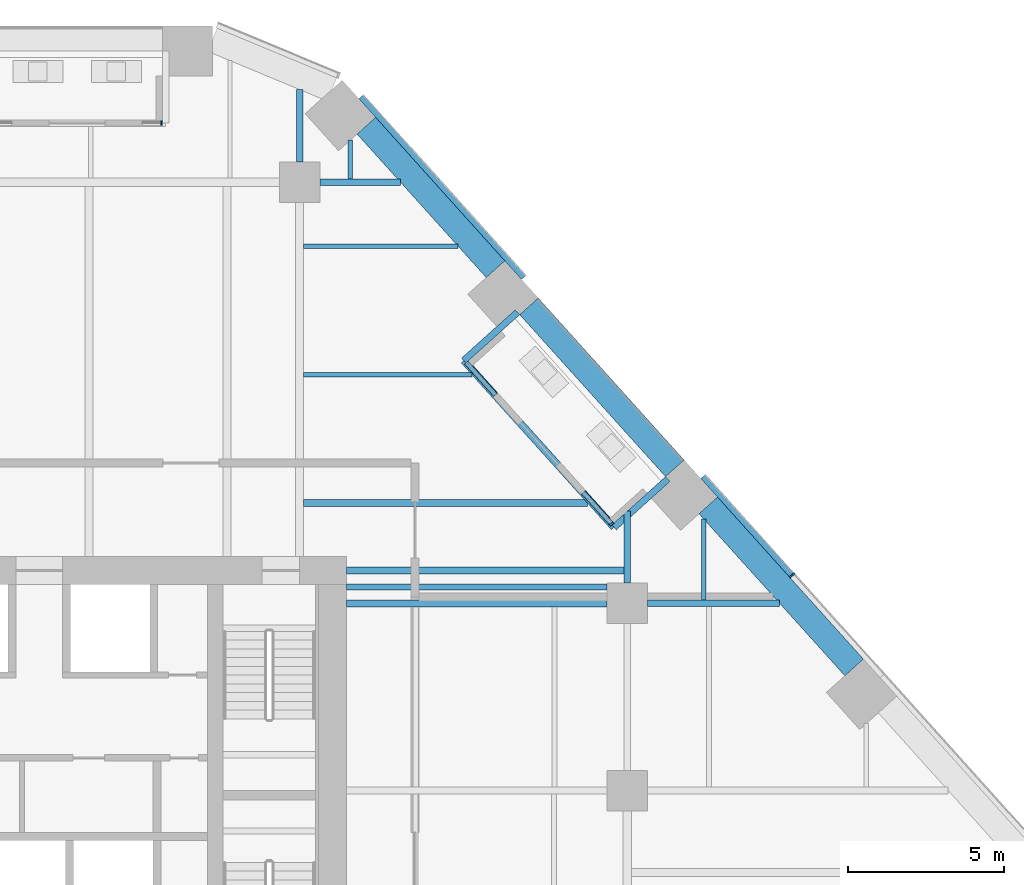
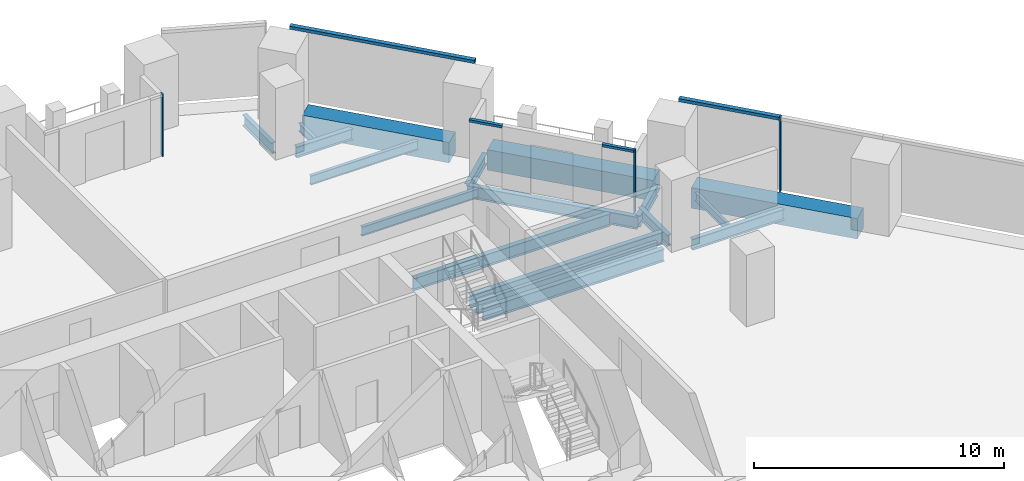
# One storey, part 12 of 28: 18 beams, 7 members, 3 elements without a shape of their own.
"""IFC4 building model written with IfcOpenShell, lengths in metres."""

from ifc_helpers import new_model, si_unit, direction, frame, origin, origin_2d, place, context, subcontext, project, spatial, rectangle, i_section, extrude, material, layer, layer_set, material_profile, profile_set, type_object, element, aggregate, save


model = new_model("IFC4")

# Units and contexts
model_context = context("Model", 3, precision=1e-05, world=origin(), true_north=direction((0.0, 1.0)))
body_context = subcontext(model_context, "Body", "Model", "MODEL_VIEW")
ifc_project = project(units=[si_unit("LENGTHUNIT", "METRE"), si_unit("AREAUNIT", "SQUARE_METRE"), si_unit("VOLUMEUNIT", "CUBIC_METRE"), si_unit("PLANEANGLEUNIT", "RADIAN"), si_unit("MASSUNIT", "GRAM", prefix="KILO")], contexts=[model_context])

# Site, building, storey
site_placement = place(None, origin())
site = spatial("IfcSite", under=ifc_project, at=site_placement, CompositionType="ELEMENT")
building_placement = place(site_placement, origin())
building = spatial("IfcBuilding", under=site, at=building_placement, Name="Isthmus Gate Tower", CompositionType="ELEMENT")
storey_placement = place(building_placement, frame((0.0, 0.0, 98.89990234375)))
storey = spatial("IfcBuildingStorey", under=building, at=storey_placement, Name="L23", CompositionType="ELEMENT", Elevation=98.89990234375)

# Curtain wall, members
ifc_material_1 = material(Name="Aluminium, pale champagne anodised", Category="aluminium")
ifc_layer_1 = layer(ifc_material_1, 0.199951171875)
ifc_layer_set_1 = layer_set([ifc_layer_1], Name="CW-1 UNITISED CURTAIN WALL 200 DEEP")
curtain_wall_type_1 = type_object("IfcCurtainWallType", Name="CW-1 UNITISED CURTAIN WALL 200 DEEP", PredefinedType="NOTDEFINED", material=ifc_layer_set_1)
curtain_wall_1_placement = place(storey_placement, origin())
curtain_wall_1 = element("IfcCurtainWall", 1, at=curtain_wall_1_placement, inside=storey, type_object=curtain_wall_type_1, Name="CW-1 NE L23", PredefinedType="NOTDEFINED")
ifc_material_2 = material(Name="Aluminium, pale champagne anodised", Category="aluminium")
ifc_material_profile_1 = material_profile(ifc_material_2, rectangle(XDim=0.06005859375, YDim=0.199951171875, at=origin_2d()), Name="60x200")
ifc_profile_set_1 = profile_set([ifc_material_profile_1], Name="Aluminium, pale champagne anodised")
member_type_1 = type_object("IfcMemberType", Name="CW-1 MULLION 60 X 200", PredefinedType="MULLION", material=ifc_profile_set_1)
member_1_placement = place(storey_placement, frame((29.287841796875, 14.400146484375, 0.0), z_axis=(0.0, 0.0, 1.0), x_axis=(-0.669130606359, 0.743144825477, 0.0)))
member_1 = element("IfcMember", 2, at=member_1_placement, type_object=member_type_1, Name="CW-1 mullion", PredefinedType="MULLION", context=body_context, shape_type="SweptSolid", body=[
    extrude(rectangle(XDim=0.06005859375, YDim=0.199951171875, at=origin_2d()), origin(), (0.0, 0.0, 1.0), 3.650146484375),
])
ifc_material_3 = material(Name="Aluminium, pale champagne anodised", Category="aluminium")
ifc_material_profile_2 = material_profile(ifc_material_3, rectangle(XDim=0.199951171875, YDim=0.14990234375, at=origin_2d()), Name="200x150")
ifc_profile_set_2 = profile_set([ifc_material_profile_2], Name="Aluminium, pale champagne anodised")
member_type_2 = type_object("IfcMemberType", Name="CW-1 TRANSOM 200 X 150", PredefinedType="USERDEFINED", material=ifc_profile_set_2)
member_2_placement = place(storey_placement, frame((29.267822265625, 14.422607421875, 3.5751953125), z_axis=(-0.669123979474, 0.743150792298, 0.0), x_axis=(-0.743150792298, -0.669123979474, 0.0)))
member_2 = element("IfcMember", 3, at=member_2_placement, type_object=member_type_2, Name="CW-1 transom", ObjectType="TRANSOM", PredefinedType="USERDEFINED", context=body_context, shape_type="SweptSolid", body=[
    extrude(rectangle(XDim=0.199951171875, YDim=0.14990234375, at=origin_2d()), origin(), (0.0, 0.0, 1.0), 4.234619140625),
])
member_3_placement = place(storey_placement, frame((20.686767578125, 23.95263671875, 3.5751953125), z_axis=(-0.669137878224, 0.743138277797, 0.0), x_axis=(-0.743138277797, -0.669137878224, 0.0)))
member_3 = element("IfcMember", 4, at=member_3_placement, type_object=member_type_2, Name="CW-1 transom", ObjectType="TRANSOM", PredefinedType="USERDEFINED", context=body_context, shape_type="SweptSolid", body=[
    extrude(rectangle(XDim=0.199951171875, YDim=0.14990234375, at=origin_2d()), origin(), (0.0, 0.0, 1.0), 7.789306640625),
])
aggregate(curtain_wall_1, [member_1, member_2, member_3])

# Curtain wall, member
ifc_material_4 = material(Name="Aluminium, pale champagne anodised", Category="aluminium")
ifc_layer_2 = layer(ifc_material_4, 0.14990234375)
ifc_layer_set_2 = layer_set([ifc_layer_2], Name="CW-6 LOGGIA BACK WALL GLAZING 150 DEEP")
curtain_wall_type_2 = type_object("IfcCurtainWallType", Name="CW-6 LOGGIA BACK WALL GLAZING 150 DEEP", PredefinedType="NOTDEFINED", material=ifc_layer_set_2)
curtain_wall_2_placement = place(storey_placement, origin())
curtain_wall_2 = element("IfcCurtainWall", 5, at=curtain_wall_2_placement, inside=storey, type_object=curtain_wall_type_2, Name="CW-6 N L23", PredefinedType="NOTDEFINED")
ifc_material_5 = material(Name="Aluminium, pale champagne anodised", Category="aluminium")
ifc_material_profile_3 = material_profile(ifc_material_5, rectangle(XDim=0.06005859375, YDim=0.14990234375, at=origin_2d()), Name="60x150")
ifc_profile_set_3 = profile_set([ifc_material_profile_3], Name="Aluminium, pale champagne anodised")
member_type_3 = type_object("IfcMemberType", Name="CW-6 MULLION 60 X 150", PredefinedType="MULLION", material=ifc_profile_set_3)
member_4_placement = place(storey_placement, frame((9.07177734375, 28.89990234375, 0.0), z_axis=(0.0, 0.0, 1.0), x_axis=(-1.0, 0.0, 0.0)))
member_4 = element("IfcMember", 6, at=member_4_placement, type_object=member_type_3, Name="CW-6 mullion", PredefinedType="MULLION", context=body_context, shape_type="SweptSolid", body=[
    extrude(rectangle(XDim=0.06005859375, YDim=0.14990234375, at=origin_2d()), origin(), (0.0, 0.0, 1.0), 3.050048828125),
])
aggregate(curtain_wall_2, [member_4])

# Curtain wall, members
curtain_wall_3_placement = place(storey_placement, origin())
curtain_wall_3 = element("IfcCurtainWall", 7, at=curtain_wall_3_placement, inside=storey, type_object=curtain_wall_type_2, Name="CW-6 NE L23", PredefinedType="NOTDEFINED")
member_5_placement = place(storey_placement, frame((23.500732421875, 16.045166015625, 0.0), z_axis=(0.0, 0.0, 1.0), x_axis=(-0.669130606359, 0.743144825477, 0.0)))
member_5 = element("IfcMember", 8, at=member_5_placement, type_object=member_type_3, Name="CW-6 mullion", PredefinedType="MULLION", context=body_context, shape_type="SweptSolid", body=[
    extrude(rectangle(XDim=0.06005859375, YDim=0.14990234375, at=origin_2d()), origin(), (0.0, 0.0, 1.0), 3.050048828125),
])
ifc_material_6 = material(Name="Aluminium, pale champagne anodised", Category="aluminium")
ifc_material_profile_4 = material_profile(ifc_material_6, rectangle(XDim=0.14990234375, YDim=0.1201171875, at=origin_2d()), Name="150x120")
ifc_profile_set_4 = profile_set([ifc_material_profile_4], Name="Aluminium, pale champagne anodised")
member_type_4 = type_object("IfcMemberType", Name="CW-6 TRANSOM 150 X 120", PredefinedType="USERDEFINED", material=ifc_profile_set_4)
member_6_placement = place(storey_placement, frame((23.480712890625, 16.0673828125, 2.989990234375), z_axis=(-0.669096095218, 0.743175897997, 0.0), x_axis=(-0.743175897997, -0.669096095218, 0.0)))
member_6 = element("IfcMember", 9, at=member_6_placement, type_object=member_type_4, Name="CW-6 transom", ObjectType="TRANSOM", PredefinedType="USERDEFINED", context=body_context, shape_type="SweptSolid", body=[
    extrude(rectangle(XDim=0.14990234375, YDim=0.1201171875, at=origin_2d()), origin(), (0.0, 0.0, 1.0), 1.334716796875),
])
member_7_placement = place(storey_placement, frame((19.77734375, 20.180419921875, 2.989990234375), z_axis=(-0.669206474504, 0.743076506479, 0.0), x_axis=(-0.743076506479, -0.669206474504, 0.0)))
member_7 = element("IfcMember", 10, at=member_7_placement, type_object=member_type_4, Name="CW-6 transom", ObjectType="TRANSOM", PredefinedType="USERDEFINED", context=body_context, shape_type="SweptSolid", body=[
    extrude(rectangle(XDim=0.14990234375, YDim=0.1201171875, at=origin_2d()), origin(), (0.0, 0.0, 1.0), 1.394775390625),
])
aggregate(curtain_wall_3, [member_5, member_6, member_7])

# Beams
ifc_material_7 = material(Name="Concrete f'c 70 MPa", Category="concrete")
ifc_material_profile_5 = material_profile(ifc_material_7, rectangle(XDim=0.800048828125, YDim=1.0, at=origin_2d()), Name="RC 800X1000")
ifc_profile_set_5 = profile_set([ifc_material_profile_5], Name="Concrete f'c 70 MPa")
beam_type_1 = type_object("IfcBeamType", Name="RC SPANDREL 800 X 1000", PredefinedType="SPANDREL", material=ifc_profile_set_5)
beam_1_placement = place(storey_placement, frame((15.638427734375, 28.812255859375, -0.5), z_axis=(0.669139054219, -0.743137218903, 0.0), x_axis=(0.743137218903, 0.669139054219, 0.0)))
element("IfcBeam", 11, at=beam_1_placement, inside=storey, type_object=beam_type_1, Name="str-spandrel-L23-01", PredefinedType="SPANDREL", context=body_context, shape_type="SweptSolid", body=[
    extrude(rectangle(XDim=0.800048828125, YDim=1.0, at=origin_2d()), origin(), (0.0, 0.0, 1.0), 6.189453125),
])
for number, where, z_axis, x_axis, name in (
    (12, (20.8505859375, 23.0234375, -0.5), (0.669128753615, -0.743146493691, 0.0), (0.743146493691, 0.669128753615, 0.0), "str-spandrel-L23-02"),
    (13, (26.597900390625, 16.640380859375, -0.5), (0.669128753615, -0.743146493691, 0.0), (0.743146493691, 0.669128753615, 0.0), "str-spandrel-L23-03"),
):
    element("IfcBeam", number, at=place(storey_placement, frame(where, z_axis=z_axis, x_axis=x_axis)), inside=storey, type_object=beam_type_1, Name=name, PredefinedType="SPANDREL", context=body_context, shape_type="SweptSolid", body=[
        extrude(rectangle(XDim=0.800048828125, YDim=1.0, at=origin_2d()), origin(), (0.0, 0.0, 1.0), 6.9892578125),
    ])
ifc_material_8 = material(Name="Structural steel ASTM A992 Gr 50", Category="steel")
ifc_material_profile_6 = material_profile(ifc_material_8, i_section(OverallWidth=0.1396484375, OverallDepth=0.4033203125, WebThickness=0.00634765625, FlangeThickness=0.010986328125, at=origin_2d()), Name="W16X31")
ifc_profile_set_6 = profile_set([ifc_material_profile_6], Name="Structural steel ASTM A992 Gr 50")
beam_type_2 = type_object("IfcBeamType", Name="STEEL FLOOR BEAM W16X31", PredefinedType="JOIST", material=ifc_profile_set_6)
beam_2_placement = place(storey_placement, frame((15.12109375, 27.104736328125, -0.3515625), z_axis=(0.0, 1.0, 0.0), x_axis=(-1.0, 0.0, 0.0)))
element("IfcBeam", 14, at=beam_2_placement, inside=storey, type_object=beam_type_2, Name="str-beam-L23-29-00", PredefinedType="JOIST", context=body_context, shape_type="SweptSolid", body=[
    extrude(i_section(OverallWidth=0.1396484375, OverallDepth=0.4033203125, WebThickness=0.00634765625, FlangeThickness=0.010986328125, at=origin_2d()), origin(), (0.0, 0.0, 1.0), 1.24169921875),
])
beam_3_placement = place(storey_placement, frame((26.448974609375, 13.604736328125, -0.3515625), z_axis=(0.0, 1.0, 0.0), x_axis=(-1.0, 0.0, 0.0)))
element("IfcBeam", 15, at=beam_3_placement, inside=storey, type_object=beam_type_2, Name="str-beam-L23-37-00", PredefinedType="JOIST", context=body_context, shape_type="SweptSolid", body=[
    extrude(i_section(OverallWidth=0.1396484375, OverallDepth=0.4033203125, WebThickness=0.00634765625, FlangeThickness=0.010986328125, at=origin_2d()), origin(), (0.0, 0.0, 1.0), 2.603515625),
])
ifc_material_9 = material(Name="Structural steel ASTM A992 Gr 50", Category="steel")
ifc_material_profile_7 = material_profile(ifc_material_9, i_section(OverallWidth=0.15234375, OverallDepth=0.45068359375, WebThickness=0.0078125, FlangeThickness=0.010986328125, at=origin_2d()), Name="W18X35")
ifc_profile_set_7 = profile_set([ifc_material_profile_7], Name="Structural steel ASTM A992 Gr 50")
beam_type_3 = type_object("IfcBeamType", Name="STEEL FLOOR BEAM W18X35", PredefinedType="JOIST", material=ifc_profile_set_7)
beam_4_placement = place(storey_placement, frame((13.626953125, 20.83203125, -0.375244140625), z_axis=(1.0, 0.0, 0.0), x_axis=(0.0, 1.0, 0.0)))
element("IfcBeam", 16, at=beam_4_placement, inside=storey, type_object=beam_type_3, Name="str-beam-L23-30-01", PredefinedType="JOIST", context=body_context, shape_type="SweptSolid", body=[
    extrude(i_section(OverallWidth=0.15234375, OverallDepth=0.45068359375, WebThickness=0.0078125, FlangeThickness=0.010986328125, at=origin_2d()), origin(), (0.0, 0.0, 1.0), 5.390380859375),
])
beam_5_placement = place(storey_placement, frame((13.626953125, 24.944091796875, -0.375244140625), z_axis=(1.0, 0.0, 0.0), x_axis=(0.0, 1.0, 0.0)))
element("IfcBeam", 17, at=beam_5_placement, inside=storey, type_object=beam_type_3, Name="str-beam-L23-30-02", PredefinedType="JOIST", context=body_context, shape_type="SweptSolid", body=[
    extrude(i_section(OverallWidth=0.15234375, OverallDepth=0.45068359375, WebThickness=0.0078125, FlangeThickness=0.010986328125, at=origin_2d()), origin(), (0.0, 0.0, 1.0), 4.9560546875),
])
ifc_material_10 = material(Name="Structural steel ASTM A992 Gr 50", Category="steel")
ifc_material_profile_8 = material_profile(ifc_material_10, i_section(OverallWidth=0.177734375, OverallDepth=0.60009765625, WebThickness=0.009521484375, FlangeThickness=0.0126953125, at=origin_2d()), Name="W24X55")
ifc_profile_set_8 = profile_set([ifc_material_profile_8], Name="Structural steel ASTM A992 Gr 50")
beam_type_4 = type_object("IfcBeamType", Name="STEEL FLOOR BEAM W24X55", PredefinedType="JOIST", material=ifc_profile_set_8)
beam_6_placement = place(storey_placement, frame((15.0, 14.02490234375, -0.449951171875), z_axis=(1.0, 0.0, 0.0), x_axis=(0.0, 1.0, 0.0)))
element("IfcBeam", 18, at=beam_6_placement, inside=storey, type_object=beam_type_4, Name="str-beam-L23-33-00", PredefinedType="JOIST", context=body_context, shape_type="SweptSolid", body=[
    extrude(i_section(OverallWidth=0.177734375, OverallDepth=0.60009765625, WebThickness=0.009521484375, FlangeThickness=0.0126953125, at=origin_2d()), origin(), (0.0, 0.0, 1.0), 8.35009765625),
])
ifc_material_11 = material(Name="Structural steel ASTM A992 Gr 50", Category="steel")
ifc_material_profile_9 = material_profile(ifc_material_11, i_section(OverallWidth=0.228515625, OverallDepth=0.603271484375, WebThickness=0.010986328125, FlangeThickness=0.014404296875, at=origin_2d()), Name="W24X68")
ifc_profile_set_9 = profile_set([ifc_material_profile_9], Name="Structural steel ASTM A992 Gr 50")
beam_type_5 = type_object("IfcBeamType", Name="STEEL FLOOR BEAM W24X68", PredefinedType="JOIST", material=ifc_profile_set_9)
beam_7_placement = place(storey_placement, frame((13.626953125, 16.72021484375, -0.451416015625), z_axis=(1.0, 0.0, 0.0), x_axis=(0.0, 1.0, 0.0)))
element("IfcBeam", 19, at=beam_7_placement, inside=storey, type_object=beam_type_5, Name="str-beam-L23-30-00", PredefinedType="JOIST", context=body_context, shape_type="SweptSolid", body=[
    extrude(i_section(OverallWidth=0.228515625, OverallDepth=0.603271484375, WebThickness=0.010986328125, FlangeThickness=0.014404296875, at=origin_2d()), origin(), (0.0, 0.0, 1.0), 9.0927734375),
])
ifc_material_12 = material(Name="Structural steel ASTM A992 Gr 50", Category="steel")
ifc_material_profile_10 = material_profile(ifc_material_12, i_section(OverallWidth=0.20947265625, OverallDepth=0.533447265625, WebThickness=0.009521484375, FlangeThickness=0.015869140625, at=origin_2d()), Name="W21X62")
ifc_profile_set_10 = profile_set([ifc_material_profile_10], Name="Structural steel ASTM A992 Gr 50")
beam_type_6 = type_object("IfcBeamType", Name="STEEL GIRDER W21X62", PredefinedType="BEAM", material=ifc_profile_set_10)
beam_8_placement = place(storey_placement, frame((24.64990234375, 13.5, -0.41650390625), z_axis=(1.0, 0.0, 0.0), x_axis=(0.0, 1.0, 0.0)))
element("IfcBeam", 20, at=beam_8_placement, inside=storey, type_object=beam_type_6, Name="str-girder-L23-16", PredefinedType="BEAM", context=body_context, shape_type="SweptSolid", body=[
    extrude(i_section(OverallWidth=0.20947265625, OverallDepth=0.533447265625, WebThickness=0.009521484375, FlangeThickness=0.015869140625, at=origin_2d()), origin(), (0.0, 0.0, 1.0), 4.2373046875),
])
beam_9_placement = place(storey_placement, frame((14.14990234375, 27.0, -0.41650390625), z_axis=(1.0, 0.0, 0.0), x_axis=(0.0, 1.0, 0.0)))
element("IfcBeam", 21, at=beam_9_placement, inside=storey, type_object=beam_type_6, Name="str-girder-L23-20", PredefinedType="BEAM", context=body_context, shape_type="SweptSolid", body=[
    extrude(i_section(OverallWidth=0.20947265625, OverallDepth=0.533447265625, WebThickness=0.009521484375, FlangeThickness=0.015869140625, at=origin_2d()), origin(), (0.0, 0.0, 1.0), 2.58203125),
])
beam_10_placement = place(storey_placement, frame((13.5, 27.64990234375, -0.41650390625), z_axis=(0.0, 1.0, 0.0), x_axis=(-1.0, 0.0, 0.0)))
element("IfcBeam", 22, at=beam_10_placement, inside=storey, type_object=beam_type_6, Name="str-girder-L23-35", PredefinedType="BEAM", context=body_context, shape_type="SweptSolid", body=[
    extrude(i_section(OverallWidth=0.20947265625, OverallDepth=0.533447265625, WebThickness=0.009521484375, FlangeThickness=0.015869140625, at=origin_2d()), origin(), (0.0, 0.0, 1.0), 2.320068359375),
])
beam_11_placement = place(storey_placement, frame((24.0, 14.14990234375, -0.41650390625), z_axis=(0.0, 1.0, 0.0), x_axis=(-1.0, 0.0, 0.0)))
element("IfcBeam", 23, at=beam_11_placement, inside=storey, type_object=beam_type_6, Name="str-girder-L23-38", PredefinedType="BEAM", context=body_context, shape_type="SweptSolid", body=[
    extrude(i_section(OverallWidth=0.20947265625, OverallDepth=0.533447265625, WebThickness=0.009521484375, FlangeThickness=0.015869140625, at=origin_2d()), origin(), (0.0, 0.0, 1.0), 2.30419921875),
])
ifc_material_13 = material(Name="Structural steel ASTM A992 Gr 50", Category="steel")
ifc_material_profile_11 = material_profile(ifc_material_13, i_section(OverallWidth=0.228515625, OverallDepth=0.6064453125, WebThickness=0.010986328125, FlangeThickness=0.017578125, at=origin_2d()), Name="W24X76")
ifc_profile_set_11 = profile_set([ifc_material_profile_11], Name="Structural steel ASTM A992 Gr 50")
beam_type_7 = type_object("IfcBeamType", Name="STEEL GIRDER W24X76", PredefinedType="BEAM", material=ifc_profile_set_11)
beam_12_placement = place(storey_placement, frame((15.0, 13.5, -0.453125), z_axis=(1.0, 0.0, 0.0), x_axis=(0.0, 1.0, 0.0)))
element("IfcBeam", 24, at=beam_12_placement, inside=storey, type_object=beam_type_7, Name="str-girder-L23-15", PredefinedType="BEAM", context=body_context, shape_type="SweptSolid", body=[
    extrude(i_section(OverallWidth=0.228515625, OverallDepth=0.6064453125, WebThickness=0.010986328125, FlangeThickness=0.017578125, at=origin_2d()), origin(), (0.0, 0.0, 1.0), 8.35009765625),
])
beam_13_placement = place(storey_placement, frame((15.0, 14.550048828125, -0.453125), z_axis=(1.0, 0.0, 0.0), x_axis=(0.0, 1.0, 0.0)))
element("IfcBeam", 25, at=beam_13_placement, inside=storey, type_object=beam_type_7, Name="str-girder-L23-42", PredefinedType="BEAM", context=body_context, shape_type="SweptSolid", body=[
    extrude(i_section(OverallWidth=0.228515625, OverallDepth=0.6064453125, WebThickness=0.010986328125, FlangeThickness=0.017578125, at=origin_2d()), origin(), (0.0, 0.0, 1.0), 8.895263671875),
])
ifc_material_14 = material(Name="Structural steel ASTM A992 Gr 50", Category="steel")
ifc_material_profile_12 = material_profile(ifc_material_14, i_section(OverallWidth=0.20947265625, OverallDepth=0.533447265625, WebThickness=0.009521484375, FlangeThickness=0.015869140625, at=origin_2d()), Name="W21X62")
ifc_profile_set_12 = profile_set([ifc_material_profile_12], Name="Structural steel ASTM A992 Gr 50")
beam_type_8 = type_object("IfcBeamType", Name="STEEL TRIMMER W21X62", PredefinedType="BEAM", material=ifc_profile_set_12)
for number, where, z_axis, x_axis, name in (
    (26, (25.300048828125, 17.48388671875, -0.41650390625), (-0.74311576701, -0.669162877647, 0.0), (0.669162877647, -0.74311576701, 0.0), "str-loggiatrim-L23-06-A"),
    (27, (20.483154296875, 22.833740234375, -0.41650390625), (-0.74311576701, -0.669162877647, 0.0), (0.669162877647, -0.74311576701, 0.0), "str-loggiatrim-L23-06-C"),
):
    element("IfcBeam", number, at=place(storey_placement, frame(where, z_axis=z_axis, x_axis=x_axis)), inside=storey, type_object=beam_type_8, Name=name, PredefinedType="BEAM", context=body_context, shape_type="SweptSolid", body=[
        extrude(i_section(OverallWidth=0.20947265625, OverallDepth=0.533447265625, WebThickness=0.009521484375, FlangeThickness=0.015869140625, at=origin_2d()), origin(), (0.0, 0.0, 1.0), 2.314208984375),
    ])
ifc_material_15 = material(Name="Structural steel ASTM A992 Gr 50", Category="steel")
ifc_material_profile_13 = material_profile(ifc_material_15, i_section(OverallWidth=0.228515625, OverallDepth=0.603271484375, WebThickness=0.010986328125, FlangeThickness=0.014404296875, at=origin_2d()), Name="W24X68")
ifc_profile_set_13 = profile_set([ifc_material_profile_13], Name="Structural steel ASTM A992 Gr 50")
beam_type_9 = type_object("IfcBeamType", Name="STEEL TRIMMER W24X68", PredefinedType="BEAM", material=ifc_profile_set_13)
beam_14_placement = place(storey_placement, frame((23.580322265625, 15.935302734375, -0.451416015625), z_axis=(-0.669120233524, 0.743154165089, 0.0), x_axis=(-0.743154165089, -0.669120233524, 0.0)))
element("IfcBeam", 28, at=beam_14_placement, inside=storey, type_object=beam_type_9, Name="str-loggiatrim-L23-06-B", PredefinedType="BEAM", context=body_context, shape_type="SweptSolid", body=[
    extrude(i_section(OverallWidth=0.228515625, OverallDepth=0.603271484375, WebThickness=0.010986328125, FlangeThickness=0.014404296875, at=origin_2d()), origin(), (0.0, 0.0, 1.0), 7.19873046875),
])

save(model, "model.ifc")
